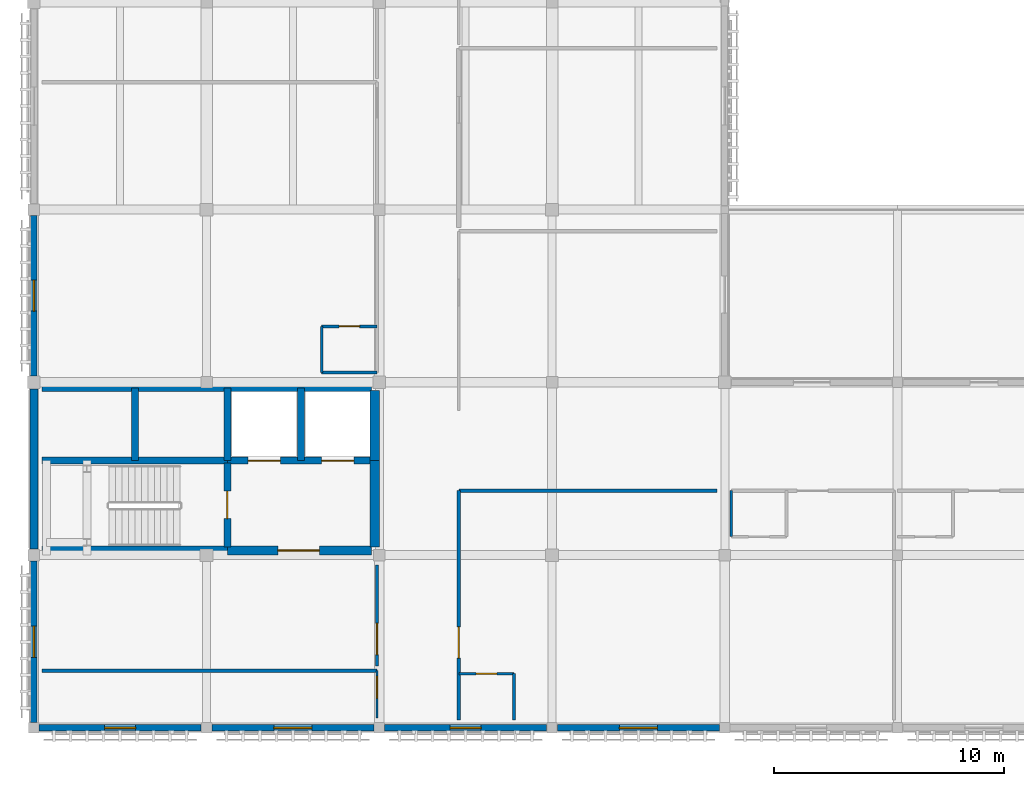
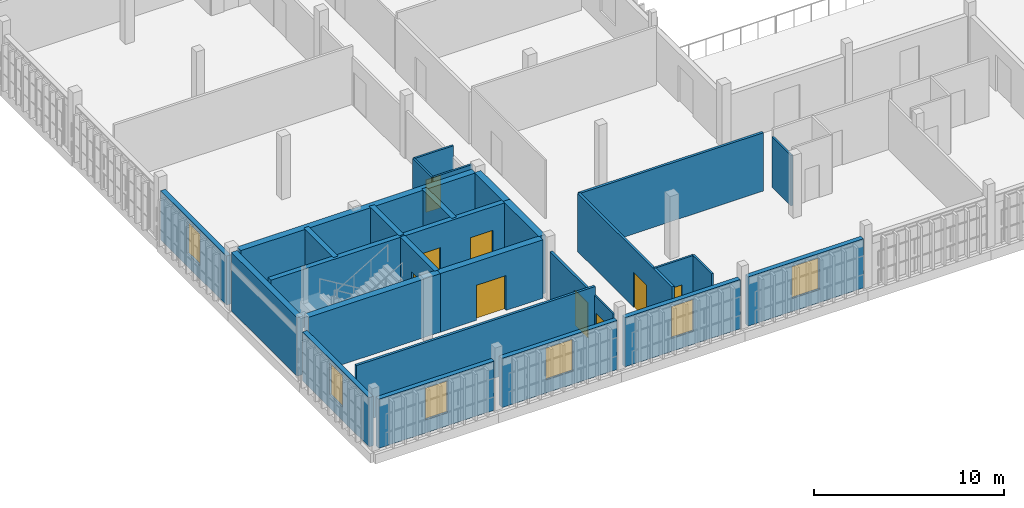
# One storey, part 4 of 17: 29 walls, 9 doors, 6 windows, 15 openings.
"""IFC4 building model written with IfcOpenShell, lengths in metres."""

from ifc_helpers import new_model, si_unit, direction, frame, frame_2d, origin, place, context, subcontext, project, spatial, rectangle, extrude, material, layer, layer_set, type_object, element, fill, save


model = new_model("IFC4")

# Units and contexts
model_context = context("Model", 3, precision=1e-05, world=origin(), true_north=direction((0.0, 1.0)))
body_context = subcontext(model_context, "Body", "Model", "MODEL_VIEW")
ifc_project = project(units=[si_unit("LENGTHUNIT", "METRE"), si_unit("AREAUNIT", "SQUARE_METRE"), si_unit("VOLUMEUNIT", "CUBIC_METRE"), si_unit("PLANEANGLEUNIT", "RADIAN"), si_unit("MASSUNIT", "GRAM", prefix="KILO")], contexts=[model_context])

# Site, building, storey
site_placement = place(None, origin())
site = spatial("IfcSite", under=ifc_project, at=site_placement, CompositionType="ELEMENT")
building_placement = place(site_placement, origin())
building = spatial("IfcBuilding", under=site, at=building_placement, Name="Dalvernix Boulevard General Hospital", CompositionType="ELEMENT")
storey_placement = place(building_placement, frame((0.0, 0.0, 25.949951171875)))
storey = spatial("IfcBuildingStorey", under=building, at=storey_placement, Name="L06", CompositionType="ELEMENT", Elevation=25.949951171875)

# Wall
ifc_material_1 = material(Name="Concrete C40/50", Category="concrete")
ifc_layer_1 = layer(ifc_material_1, 0.39990234375)
ifc_layer_set_1 = layer_set([ifc_layer_1], Name="Concrete C40/50 (WAL-CSW-01)")
wall_type_1 = type_object("IfcWallType", Name="WAL-CSW-01", PredefinedType="SHEAR", material=ifc_layer_set_1)
wall_1_placement = place(storey_placement, frame((0.35009765625, 7.699951171875, 0.0), z_axis=(0.0, 0.0, 1.0), x_axis=(1.0, 0.0, 0.0)))
element("IfcWall", 1, at=wall_1_placement, inside=storey, type_object=wall_type_1, Name="L06 C1 south stairwell wall", PredefinedType="SHEAR", context=body_context, shape_type="SweptSolid", body=[
    extrude(rectangle(XDim=8.0498046875, YDim=0.39990234375, at=frame_2d((4.02490234375, 0.0))), origin(), (0.0, 0.0, 1.0), 3.77001953125),
])

# Wall, opening, door
wall_2_placement = place(storey_placement, frame((8.39990234375, 7.699951171875, 0.0), z_axis=(0.0, 0.0, 1.0), x_axis=(1.0, 0.0, 0.0)))
wall_2 = element("IfcWall", 2, at=wall_2_placement, inside=storey, type_object=wall_type_1, Name="L06 C1 south firefighting lobby wall", PredefinedType="SHEAR", context=body_context, shape_type="SweptSolid", body=[
    extrude(rectangle(XDim=6.25, YDim=0.39990234375, at=frame_2d((3.125, 0.0))), origin(), (0.0, 0.0, 1.0), 3.77001953125),
])
opening_1_placement = place(wall_2_placement, frame((2.199951171875, 0.0, 0.0)))
opening_1 = element("IfcOpeningElement", 3, at=opening_1_placement, cuts=wall_2, Name="Opening FD-01", PredefinedType="OPENING", context=body_context, shape_type="SweptSolid", body=[
    extrude(rectangle(XDim=1.800048828125, YDim=2.25, at=frame_2d((0.89990234375, 1.125))), frame((0.0, 0.2099609375, 0.0), z_axis=(0.0, -1.0, 0.0), x_axis=(1.0, 0.0, 0.0)), (0.0, 0.0, 1.0), 0.419921875),
])
ifc_material_2 = material(Name="Hospital laminate acoustic timber and steel frame", Category="steel")
door_type_1 = type_object("IfcDoorType", Name="DR-FD-01", OperationType="DOUBLE_DOOR_SINGLE_SWING", PredefinedType="DOOR", material=ifc_material_2)
door_1_placement = place(opening_1_placement, origin())
door_1 = element("IfcDoor", 4, at=door_1_placement, inside=storey, type_object=door_type_1, Name="L06 C1 firefighting lobby door", OperationType="DOUBLE_DOOR_SINGLE_SWING", OverallHeight=2.25, OverallWidth=1.800048828125, PredefinedType="DOOR", context=body_context, shape_type="SweptSolid", body=[
    extrude(rectangle(XDim=1.800048828125, YDim=2.25, at=frame_2d((0.89990234375, 1.125))), frame((0.0, 0.02490234375, 0.0), z_axis=(0.0, -1.0, 0.0), x_axis=(1.0, 0.0, 0.0)), (0.0, 0.0, 1.0), 0.050048828125),
])
fill(opening_1, door_1)

# Walls
wall_3_placement = place(storey_placement, frame((0.35009765625, 14.800048828125, 0.0), z_axis=(0.0, 0.0, 1.0), x_axis=(1.0, 0.0, 0.0)))
element("IfcWall", 5, at=wall_3_placement, inside=storey, type_object=wall_type_1, Name="L06 C1 north shaft core wall", PredefinedType="SHEAR", context=body_context, shape_type="SweptSolid", body=[
    extrude(rectangle(XDim=14.2998046875, YDim=0.39990234375, at=frame_2d((7.14990234375, 0.0))), origin(), (0.0, 0.0, 1.0), 3.77001953125),
])
wall_4_placement = place(storey_placement, frame((14.800048828125, 7.85009765625, 0.0), z_axis=(0.0, 0.0, 1.0), x_axis=(0.0, 1.0, 0.0)))
element("IfcWall", 6, at=wall_4_placement, inside=storey, type_object=wall_type_1, Name="L06 C1 east lobby core wall", PredefinedType="SHEAR", context=body_context, shape_type="SweptSolid", body=[
    extrude(rectangle(XDim=3.75, YDim=0.39990234375, at=frame_2d((1.875, 0.0))), origin(), (0.0, 0.0, 1.0), 3.77001953125),
])
wall_5_placement = place(storey_placement, frame((14.800048828125, 11.60009765625, 0.0), z_axis=(0.0, 0.0, 1.0), x_axis=(0.0, 1.0, 0.0)))
element("IfcWall", 7, at=wall_5_placement, inside=storey, type_object=wall_type_1, Name="L06 C1 east shaft core wall", PredefinedType="SHEAR", context=body_context, shape_type="SweptSolid", body=[
    extrude(rectangle(XDim=3.0498046875, YDim=0.39990234375, at=frame_2d((1.52490234375, 0.0))), origin(), (0.0, 0.0, 1.0), 3.77001953125),
])
ifc_layer_2 = layer(ifc_material_1, 0.300048828125)
ifc_layer_set_2 = layer_set([ifc_layer_2], Name="Concrete C40/50 (WAL-CSW-02)")
wall_type_2 = type_object("IfcWallType", Name="WAL-CSW-02", PredefinedType="SHEAR", material=ifc_layer_set_2)
wall_6_placement = place(storey_placement, frame((0.35009765625, 11.60009765625, 0.0), z_axis=(0.0, 0.0, 1.0), x_axis=(1.0, 0.0, 0.0)))
element("IfcWall", 8, at=wall_6_placement, inside=storey, type_object=wall_type_2, Name="L06 C1 riser spine wall", PredefinedType="SHEAR", context=body_context, shape_type="SweptSolid", body=[
    extrude(rectangle(XDim=8.0498046875, YDim=0.300048828125, at=frame_2d((4.02490234375, 0.0))), origin(), (0.0, 0.0, 1.0), 3.77001953125),
])

# Wall, openings, doors
wall_7_placement = place(storey_placement, frame((8.39990234375, 11.60009765625, 0.0), z_axis=(0.0, 0.0, 1.0), x_axis=(1.0, 0.0, 0.0)))
wall_7 = element("IfcWall", 9, at=wall_7_placement, inside=storey, type_object=wall_type_2, Name="L06 C1 lift shaft front wall", PredefinedType="SHEAR", context=body_context, shape_type="SweptSolid", body=[
    extrude(rectangle(XDim=6.25, YDim=0.300048828125, at=frame_2d((3.125, 0.0))), origin(), (0.0, 0.0, 1.0), 3.77001953125),
])
opening_2_placement = place(wall_7_placement, frame((0.89990234375, 0.0, 0.0)))
opening_2 = element("IfcOpeningElement", 10, at=opening_2_placement, cuts=wall_7, Name="Opening LD-FFL-01-L06", PredefinedType="OPENING", context=body_context, shape_type="SweptSolid", body=[
    extrude(rectangle(XDim=1.39990234375, YDim=2.25, at=frame_2d((0.699951171875, 1.125))), frame((0.0, 0.159912109375, 0.0), z_axis=(0.0, -1.0, 0.0), x_axis=(1.0, 0.0, 0.0)), (0.0, 0.0, 1.0), 0.320068359375),
])
opening_3_placement = place(wall_7_placement, frame((4.10009765625, 0.0, 0.0)))
opening_3 = element("IfcOpeningElement", 11, at=opening_3_placement, cuts=wall_7, Name="Opening LD-FFL-02-L06", PredefinedType="OPENING", context=body_context, shape_type="SweptSolid", body=[
    extrude(rectangle(XDim=1.39990234375, YDim=2.25, at=frame_2d((0.699951171875, 1.125))), frame((0.0, 0.159912109375, 0.0), z_axis=(0.0, -1.0, 0.0), x_axis=(1.0, 0.0, 0.0)), (0.0, 0.0, 1.0), 0.320068359375),
])
ifc_material_3 = material(Name="Stainless-clad steel", Category="steel")
door_type_2 = type_object("IfcDoorType", Name="DR-LD-01", OperationType="DOUBLE_DOOR_SLIDING", PredefinedType="DOOR", material=ifc_material_3)
door_2_placement = place(opening_2_placement, origin())
door_2 = element("IfcDoor", 12, at=door_2_placement, inside=storey, type_object=door_type_2, Name="L06 Lift FFL-01 sliding landing door", OperationType="DOUBLE_DOOR_SLIDING", OverallHeight=2.25, OverallWidth=1.39990234375, PredefinedType="DOOR", context=body_context, shape_type="SweptSolid", body=[
    extrude(rectangle(XDim=1.39990234375, YDim=2.25, at=frame_2d((0.699951171875, 1.125))), frame((0.0, 0.02490234375, 0.0), z_axis=(0.0, -1.0, 0.0), x_axis=(1.0, 0.0, 0.0)), (0.0, 0.0, 1.0), 0.050048828125),
])
fill(opening_2, door_2)
door_3_placement = place(opening_3_placement, origin())
door_3 = element("IfcDoor", 13, at=door_3_placement, inside=storey, type_object=door_type_2, Name="L06 Lift FFL-02 sliding landing door", OperationType="DOUBLE_DOOR_SLIDING", OverallHeight=2.25, OverallWidth=1.39990234375, PredefinedType="DOOR", context=body_context, shape_type="SweptSolid", body=[
    extrude(rectangle(XDim=1.39990234375, YDim=2.25, at=frame_2d((0.699951171875, 1.125))), frame((0.0, 0.02490234375, 0.0), z_axis=(0.0, -1.0, 0.0), x_axis=(1.0, 0.0, 0.0)), (0.0, 0.0, 1.0), 0.050048828125),
])
fill(opening_3, door_3)

# Wall, opening, door
wall_8_placement = place(storey_placement, frame((8.39990234375, 11.5, 0.0), z_axis=(0.0, 0.0, 1.0), x_axis=(0.0, -1.0, 0.0)))
wall_8 = element("IfcWall", 14, at=wall_8_placement, inside=storey, type_object=wall_type_2, Name="L06 C1 stairwell fire wall", PredefinedType="SHEAR", context=body_context, shape_type="SweptSolid", body=[
    extrude(rectangle(XDim=3.64990234375, YDim=0.300048828125, at=frame_2d((1.824951171875, 0.0))), origin(), (0.0, 0.0, 1.0), 3.77001953125),
])
opening_4_placement = place(wall_8_placement, frame((1.219970703125, 0.0, 0.0)))
opening_4 = element("IfcOpeningElement", 15, at=opening_4_placement, cuts=wall_8, Name="Opening FD-02", PredefinedType="OPENING", context=body_context, shape_type="SweptSolid", body=[
    extrude(rectangle(XDim=1.199951171875, YDim=2.25, at=frame_2d((0.60009765625, 1.125))), frame((0.0, 0.159912109375, 0.0), z_axis=(0.0, -1.0, 0.0), x_axis=(1.0, 0.0, 0.0)), (0.0, 0.0, 1.0), 0.320068359375),
])
door_type_3 = type_object("IfcDoorType", Name="DR-FD-02", OperationType="NOTDEFINED", PredefinedType="DOOR", material=ifc_material_2)
door_4_placement = place(opening_4_placement, origin())
door_4 = element("IfcDoor", 16, at=door_4_placement, inside=storey, type_object=door_type_3, Name="L06 Stair ST-01 fire door", OperationType="SINGLE_SWING_RIGHT", OverallHeight=2.25, OverallWidth=1.199951171875, PredefinedType="DOOR", context=body_context, shape_type="SweptSolid", body=[
    extrude(rectangle(XDim=1.199951171875, YDim=2.25, at=frame_2d((0.60009765625, 1.125))), frame((0.0, 0.02490234375, 0.0), z_axis=(0.0, -1.0, 0.0), x_axis=(1.0, 0.0, 0.0)), (0.0, 0.0, 1.0), 0.050048828125),
])
fill(opening_4, door_4)

# Walls
for number, where, z_axis, x_axis, name in (
    (17, (4.39990234375, 11.60009765625, 0.0), (0.0, 0.0, 1.0), (0.0, 1.0, 0.0), "L06 C1 shaft divider R1"),
    (18, (8.39990234375, 11.60009765625, 0.0), (0.0, 0.0, 1.0), (0.0, 1.0, 0.0), "L06 C1 shaft divider R2"),
    (19, (11.60009765625, 11.60009765625, 0.0), (0.0, 0.0, 1.0), (0.0, 1.0, 0.0), "L06 C1 shaft divider L1"),
):
    element("IfcWall", number, at=place(storey_placement, frame(where, z_axis=z_axis, x_axis=x_axis)), inside=storey, type_object=wall_type_2, Name=name, PredefinedType="SHEAR", context=body_context, shape_type="SweptSolid", body=[
        extrude(rectangle(XDim=3.14990234375, YDim=0.300048828125, at=frame_2d((1.574951171875, 0.0))), origin(), (0.0, 0.0, 1.0), 3.77001953125),
    ])
ifc_layer_3 = layer(ifc_material_1, 0.35009765625)
ifc_layer_set_3 = layer_set([ifc_layer_3], Name="Concrete C40/50 (WAL-ESW-01)")
wall_type_3 = type_object("IfcWallType", Name="WAL-ESW-01", PredefinedType="SHEAR", material=ifc_layer_set_3)
wall_9_placement = place(storey_placement, frame((0.0, 7.760009765625, 0.0), z_axis=(0.0, 0.0, 1.0), x_axis=(0.0, 1.0, 0.0)))
element("IfcWall", 20, at=wall_9_placement, inside=storey, type_object=wall_type_3, Name="L06 core perimeter shear wall W 0-1", PredefinedType="SHEAR", context=body_context, shape_type="SweptSolid", body=[
    extrude(rectangle(XDim=6.955078125, YDim=0.35009765625, at=frame_2d((3.4775390625, 0.0))), origin(), (0.0, 0.0, 1.0), 3.77001953125),
])

# Wall, opening, window
ifc_material_4 = material(Name="Screened upper-ward insulated masonry cavity wall C35/45", Category="masonry")
ifc_layer_4 = layer(ifc_material_4, 0.280029296875)
ifc_layer_set_4 = layer_set([ifc_layer_4], Name="Screened upper-ward insulated masonry cavity wall C35/45 (WAL-EW-03)")
wall_type_4 = type_object("IfcWallType", Name="WAL-EW-03", PredefinedType="STANDARD", material=ifc_layer_set_4)
wall_10_placement = place(storey_placement, frame((7.264892578125, 0.0, 0.0), z_axis=(0.0, 0.0, 1.0), x_axis=(-1.0, 0.0, 0.0)))
wall_10 = element("IfcWall", 21, at=wall_10_placement, inside=storey, type_object=wall_type_4, Name="L06 Catalan brick external wall S 0-0", PredefinedType="STANDARD", context=body_context, shape_type="SweptSolid", body=[
    extrude(rectangle(XDim=7.02978515625, YDim=0.280029296875, at=frame_2d((3.514892578125, 0.0))), origin(), (0.0, 0.0, 1.0), 3.170166015625),
])
opening_5_placement = place(wall_10_placement, frame((2.840087890625, 0.0, 0.85009765625)))
opening_5 = element("IfcOpeningElement", 22, at=opening_5_placement, cuts=wall_10, Name="Opening WN-19", PredefinedType="OPENING", context=body_context, shape_type="SweptSolid", body=[
    extrude(rectangle(XDim=1.35009765625, YDim=2.0400390625, at=frame_2d((0.675048828125, 1.02001953125))), frame((0.0, 0.14990234375, 0.0), z_axis=(0.0, -1.0, 0.0), x_axis=(1.0, 0.0, 0.0)), (0.0, 0.0, 1.0), 0.300048828125),
])
ifc_material_5 = material(Name="Thermally broken aluminium frame with solar-control double glazing", Category="aluminium")
window_type_1 = type_object("IfcWindowType", Name="WIN-WN-19", PartitioningType="SINGLE_PANEL", PredefinedType="WINDOW", material=ifc_material_5)
window_1_placement = place(opening_5_placement, origin())
window_1 = element("IfcWindow", 23, at=window_1_placement, inside=storey, type_object=window_type_1, Name="L06 clinical window WN-19 S 0-0", OverallHeight=2.0400390625, OverallWidth=1.35009765625, PartitioningType="SINGLE_PANEL", PredefinedType="WINDOW", context=body_context, shape_type="SweptSolid", body=[
    extrude(rectangle(XDim=1.35009765625, YDim=2.0400390625, at=frame_2d((0.675048828125, 1.02001953125))), frame((0.0, 0.030029296875, 0.0), z_axis=(0.0, -1.0, 0.0), x_axis=(1.0, 0.0, 0.0)), (0.0, 0.0, 1.0), 0.06005859375),
])
fill(opening_5, window_1)

wall_11_placement = place(storey_placement, frame((0.0, 0.235107421875, 0.0), z_axis=(0.0, 0.0, 1.0), x_axis=(0.0, 1.0, 0.0)))
wall_11 = element("IfcWall", 24, at=wall_11_placement, inside=storey, type_object=wall_type_4, Name="L06 Catalan brick external wall W 0-0", PredefinedType="STANDARD", context=body_context, shape_type="SweptSolid", body=[
    extrude(rectangle(XDim=7.0048828125, YDim=0.280029296875, at=frame_2d((3.50244140625, 0.0))), origin(), (0.0, 0.0, 1.0), 3.170166015625),
])
opening_6_placement = place(wall_11_placement, frame((2.827392578125, 0.0, 0.85009765625)))
opening_6 = element("IfcOpeningElement", 25, at=opening_6_placement, cuts=wall_11, Name="Opening WN-19", PredefinedType="OPENING", context=body_context, shape_type="SweptSolid", body=[
    extrude(rectangle(XDim=1.35009765625, YDim=2.0400390625, at=frame_2d((0.675048828125, 1.02001953125))), frame((0.0, 0.14990234375, 0.0), z_axis=(0.0, -1.0, 0.0), x_axis=(1.0, 0.0, 0.0)), (0.0, 0.0, 1.0), 0.300048828125),
])
window_2_placement = place(opening_6_placement, origin())
window_2 = element("IfcWindow", 26, at=window_2_placement, inside=storey, type_object=window_type_1, Name="L06 clinical window WN-19 W 0-0", OverallHeight=2.0400390625, OverallWidth=1.35009765625, PartitioningType="SINGLE_PANEL", PredefinedType="WINDOW", context=body_context, shape_type="SweptSolid", body=[
    extrude(rectangle(XDim=1.35009765625, YDim=2.0400390625, at=frame_2d((0.675048828125, 1.02001953125))), frame((0.0, 0.030029296875, 0.0), z_axis=(0.0, -1.0, 0.0), x_axis=(1.0, 0.0, 0.0)), (0.0, 0.0, 1.0), 0.06005859375),
])
fill(opening_6, window_2)

wall_12_placement = place(storey_placement, frame((0.0, 15.284912109375, 0.0), z_axis=(0.0, 0.0, 1.0), x_axis=(0.0, 1.0, 0.0)))
wall_12 = element("IfcWall", 27, at=wall_12_placement, inside=storey, type_object=wall_type_4, Name="L06 Catalan brick external wall W 0-2", PredefinedType="STANDARD", context=body_context, shape_type="SweptSolid", body=[
    extrude(rectangle(XDim=6.955078125, YDim=0.280029296875, at=frame_2d((3.4775390625, 0.0))), origin(), (0.0, 0.0, 1.0), 3.170166015625),
])
opening_7_placement = place(wall_12_placement, frame((2.802490234375, 0.0, 0.85009765625)))
opening_7 = element("IfcOpeningElement", 28, at=opening_7_placement, cuts=wall_12, Name="Opening WN-19", PredefinedType="OPENING", context=body_context, shape_type="SweptSolid", body=[
    extrude(rectangle(XDim=1.35009765625, YDim=2.0400390625, at=frame_2d((0.675048828125, 1.02001953125))), frame((0.0, 0.14990234375, 0.0), z_axis=(0.0, -1.0, 0.0), x_axis=(1.0, 0.0, 0.0)), (0.0, 0.0, 1.0), 0.300048828125),
])
window_3_placement = place(opening_7_placement, origin())
window_3 = element("IfcWindow", 29, at=window_3_placement, inside=storey, type_object=window_type_1, Name="L06 clinical window WN-19 W 0-2", OverallHeight=2.0400390625, OverallWidth=1.35009765625, PartitioningType="SINGLE_PANEL", PredefinedType="WINDOW", context=body_context, shape_type="SweptSolid", body=[
    extrude(rectangle(XDim=1.35009765625, YDim=2.0400390625, at=frame_2d((0.675048828125, 1.02001953125))), frame((0.0, 0.030029296875, 0.0), z_axis=(0.0, -1.0, 0.0), x_axis=(1.0, 0.0, 0.0)), (0.0, 0.0, 1.0), 0.06005859375),
])
fill(opening_7, window_3)

wall_13_placement = place(storey_placement, frame((14.764892578125, 0.0, 0.0), z_axis=(0.0, 0.0, 1.0), x_axis=(-1.0, 0.0, 0.0)))
wall_13 = element("IfcWall", 30, at=wall_13_placement, inside=storey, type_object=wall_type_4, Name="L06 Catalan brick external wall S 1-0", PredefinedType="STANDARD", context=body_context, shape_type="SweptSolid", body=[
    extrude(rectangle(XDim=7.02978515625, YDim=0.280029296875, at=frame_2d((3.514892578125, 0.0))), origin(), (0.0, 0.0, 1.0), 3.170166015625),
])
opening_8_placement = place(wall_13_placement, frame((2.68994140625, 0.0, 0.85009765625)))
opening_8 = element("IfcOpeningElement", 31, at=opening_8_placement, cuts=wall_13, Name="Opening WN-20", PredefinedType="OPENING", context=body_context, shape_type="SweptSolid", body=[
    extrude(rectangle(XDim=1.64990234375, YDim=2.0400390625, at=frame_2d((0.824951171875, 1.02001953125))), frame((0.0, 0.14990234375, 0.0), z_axis=(0.0, -1.0, 0.0), x_axis=(1.0, 0.0, 0.0)), (0.0, 0.0, 1.0), 0.300048828125),
])
window_type_2 = type_object("IfcWindowType", Name="WIN-WN-20", PartitioningType="SINGLE_PANEL", PredefinedType="WINDOW", material=ifc_material_5)
window_4_placement = place(opening_8_placement, origin())
window_4 = element("IfcWindow", 32, at=window_4_placement, inside=storey, type_object=window_type_2, Name="L06 clinical window WN-20 S 1-0", OverallHeight=2.0400390625, OverallWidth=1.64990234375, PartitioningType="SINGLE_PANEL", PredefinedType="WINDOW", context=body_context, shape_type="SweptSolid", body=[
    extrude(rectangle(XDim=1.64990234375, YDim=2.0400390625, at=frame_2d((0.824951171875, 1.02001953125))), frame((0.0, 0.030029296875, 0.0), z_axis=(0.0, -1.0, 0.0), x_axis=(1.0, 0.0, 0.0)), (0.0, 0.0, 1.0), 0.06005859375),
])
fill(opening_8, window_4)

wall_14_placement = place(storey_placement, frame((22.264892578125, 0.0, 0.0), z_axis=(0.0, 0.0, 1.0), x_axis=(-1.0, 0.0, 0.0)))
wall_14 = element("IfcWall", 33, at=wall_14_placement, inside=storey, type_object=wall_type_4, Name="L06 Catalan brick external wall S 2-0", PredefinedType="STANDARD", context=body_context, shape_type="SweptSolid", body=[
    extrude(rectangle(XDim=7.02978515625, YDim=0.280029296875, at=frame_2d((3.514892578125, 0.0))), origin(), (0.0, 0.0, 1.0), 3.170166015625),
])
opening_9_placement = place(wall_14_placement, frame((2.840087890625, 0.0, 0.85009765625)))
opening_9 = element("IfcOpeningElement", 34, at=opening_9_placement, cuts=wall_14, Name="Opening WN-19", PredefinedType="OPENING", context=body_context, shape_type="SweptSolid", body=[
    extrude(rectangle(XDim=1.35009765625, YDim=2.0400390625, at=frame_2d((0.675048828125, 1.02001953125))), frame((0.0, 0.14990234375, 0.0), z_axis=(0.0, -1.0, 0.0), x_axis=(1.0, 0.0, 0.0)), (0.0, 0.0, 1.0), 0.300048828125),
])
window_5_placement = place(opening_9_placement, origin())
window_5 = element("IfcWindow", 35, at=window_5_placement, inside=storey, type_object=window_type_1, Name="L06 clinical window WN-19 S 2-0", OverallHeight=2.0400390625, OverallWidth=1.35009765625, PartitioningType="SINGLE_PANEL", PredefinedType="WINDOW", context=body_context, shape_type="SweptSolid", body=[
    extrude(rectangle(XDim=1.35009765625, YDim=2.0400390625, at=frame_2d((0.675048828125, 1.02001953125))), frame((0.0, 0.030029296875, 0.0), z_axis=(0.0, -1.0, 0.0), x_axis=(1.0, 0.0, 0.0)), (0.0, 0.0, 1.0), 0.06005859375),
])
fill(opening_9, window_5)

wall_15_placement = place(storey_placement, frame((29.764892578125, 0.0, 0.0), z_axis=(0.0, 0.0, 1.0), x_axis=(-1.0, 0.0, 0.0)))
wall_15 = element("IfcWall", 36, at=wall_15_placement, inside=storey, type_object=wall_type_4, Name="L06 Catalan brick external wall S 3-0", PredefinedType="STANDARD", context=body_context, shape_type="SweptSolid", body=[
    extrude(rectangle(XDim=7.02978515625, YDim=0.280029296875, at=frame_2d((3.514892578125, 0.0))), origin(), (0.0, 0.0, 1.0), 3.170166015625),
])
opening_10_placement = place(wall_15_placement, frame((2.68994140625, 0.0, 0.85009765625)))
opening_10 = element("IfcOpeningElement", 37, at=opening_10_placement, cuts=wall_15, Name="Opening WN-20", PredefinedType="OPENING", context=body_context, shape_type="SweptSolid", body=[
    extrude(rectangle(XDim=1.64990234375, YDim=2.0400390625, at=frame_2d((0.824951171875, 1.02001953125))), frame((0.0, 0.14990234375, 0.0), z_axis=(0.0, -1.0, 0.0), x_axis=(1.0, 0.0, 0.0)), (0.0, 0.0, 1.0), 0.300048828125),
])
window_6_placement = place(opening_10_placement, origin())
window_6 = element("IfcWindow", 38, at=window_6_placement, inside=storey, type_object=window_type_2, Name="L06 clinical window WN-20 S 3-0", OverallHeight=2.0400390625, OverallWidth=1.64990234375, PartitioningType="SINGLE_PANEL", PredefinedType="WINDOW", context=body_context, shape_type="SweptSolid", body=[
    extrude(rectangle(XDim=1.64990234375, YDim=2.0400390625, at=frame_2d((0.824951171875, 1.02001953125))), frame((0.0, 0.030029296875, 0.0), z_axis=(0.0, -1.0, 0.0), x_axis=(1.0, 0.0, 0.0)), (0.0, 0.0, 1.0), 0.06005859375),
])
fill(opening_10, window_6)

# Wall, opening, door
ifc_material_6 = material(Name="Acoustic double-stud gypsum inpatient partition")
ifc_layer_5 = layer(ifc_material_6, 0.14990234375)
ifc_layer_set_5 = layer_set([ifc_layer_5], Name="Acoustic double-stud gypsum inpatient partition (WAL-IW-04)")
wall_type_5 = type_object("IfcWallType", Name="WAL-IW-04", PredefinedType="PARTITIONING", material=ifc_layer_set_5)
wall_16_placement = place(storey_placement, frame((14.89990234375, 2.679931640625, 0.0), z_axis=(0.0, 0.0, 1.0), x_axis=(0.0, 1.0, 0.0)))
wall_16 = element("IfcWall", 39, at=wall_16_placement, inside=storey, type_object=wall_type_5, Name="L06 On-Call Duty Room L06 corridor wall", PredefinedType="PARTITIONING", context=body_context, shape_type="SweptSolid", body=[
    extrude(rectangle(XDim=4.39013671875, YDim=0.14990234375, at=frame_2d((2.195068359375, 0.0))), origin(), (0.0, 0.0, 1.0), 3.205078125),
])
opening_11_placement = place(wall_16_placement, frame((0.50390625, 0.0, 0.0)))
opening_11 = element("IfcOpeningElement", 40, at=opening_11_placement, cuts=wall_16, Name="Opening ID-01", PredefinedType="OPENING", context=body_context, shape_type="SweptSolid", body=[
    extrude(rectangle(XDim=1.35009765625, YDim=2.25, at=frame_2d((0.675048828125, 1.125))), frame((0.0, 0.0849609375, 0.0), z_axis=(0.0, -1.0, 0.0), x_axis=(1.0, 0.0, 0.0)), (0.0, 0.0, 1.0), 0.169921875),
])
door_type_4 = type_object("IfcDoorType", Name="DR-ID-01", OperationType="NOTDEFINED", PredefinedType="DOOR", material=ifc_material_2)
door_5_placement = place(opening_11_placement, origin())
door_5 = element("IfcDoor", 41, at=door_5_placement, inside=storey, type_object=door_type_4, Name="L06 On-Call Duty Room L06 door", OperationType="SINGLE_SWING_LEFT", OverallHeight=2.25, OverallWidth=1.35009765625, PredefinedType="DOOR", context=body_context, shape_type="SweptSolid", body=[
    extrude(rectangle(XDim=1.35009765625, YDim=2.25, at=frame_2d((0.675048828125, 1.125))), frame((0.0, 0.02490234375, 0.0), z_axis=(0.0, -1.0, 0.0), x_axis=(1.0, 0.0, 0.0)), (0.0, 0.0, 1.0), 0.050048828125),
])
fill(opening_11, door_5)

wall_17_placement = place(storey_placement, frame((18.449951171875, 10.300048828125, 0.0), z_axis=(0.0, 0.0, 1.0), x_axis=(0.0, -1.0, 0.0)))
wall_17 = element("IfcWall", 42, at=wall_17_placement, inside=storey, type_object=wall_type_5, Name="L06 Single Patient Room L06-ES0 corridor wall", PredefinedType="PARTITIONING", context=body_context, shape_type="SweptSolid", body=[
    extrude(rectangle(XDim=9.949951171875, YDim=0.14990234375, at=frame_2d((4.97509765625, 0.0))), origin(), (0.0, 0.0, 1.0), 3.755126953125),
])
opening_12_placement = place(wall_17_placement, frame((5.919921875, 0.0, 0.0)))
opening_12 = element("IfcOpeningElement", 43, at=opening_12_placement, cuts=wall_17, Name="Opening ID-01", PredefinedType="OPENING", context=body_context, shape_type="SweptSolid", body=[
    extrude(rectangle(XDim=1.35009765625, YDim=2.25, at=frame_2d((0.675048828125, 1.125))), frame((0.0, 0.0849609375, 0.0), z_axis=(0.0, -1.0, 0.0), x_axis=(1.0, 0.0, 0.0)), (0.0, 0.0, 1.0), 0.169921875),
])
door_6_placement = place(opening_12_placement, origin())
door_6 = element("IfcDoor", 44, at=door_6_placement, inside=storey, type_object=door_type_4, Name="L06 Single Patient Room L06-ES0 door", OperationType="SINGLE_SWING_RIGHT", OverallHeight=2.25, OverallWidth=1.35009765625, PredefinedType="DOOR", context=body_context, shape_type="SweptSolid", body=[
    extrude(rectangle(XDim=1.35009765625, YDim=2.25, at=frame_2d((0.675048828125, 1.125))), frame((0.0, 0.02490234375, 0.0), z_axis=(0.0, -1.0, 0.0), x_axis=(1.0, 0.0, 0.0)), (0.0, 0.0, 1.0), 0.050048828125),
])
fill(opening_12, door_6)

# Walls
wall_18_placement = place(storey_placement, frame((0.35009765625, 2.47998046875, 0.0), z_axis=(0.0, 0.0, 1.0), x_axis=(1.0, 0.0, 0.0)))
element("IfcWall", 45, at=wall_18_placement, inside=storey, type_object=wall_type_5, Name="L06 Accessible Public WC L06 West partition", PredefinedType="PARTITIONING", context=body_context, shape_type="SweptSolid", body=[
    extrude(rectangle(XDim=14.5498046875, YDim=0.14990234375, at=frame_2d((7.27490234375, 0.0))), origin(), (0.0, 0.0, 1.0), 3.755126953125),
])
wall_19_placement = place(storey_placement, frame((18.449951171875, 10.300048828125, 0.0), z_axis=(0.0, 0.0, 1.0), x_axis=(1.0, 0.0, 0.0)))
element("IfcWall", 46, at=wall_19_placement, inside=storey, type_object=wall_type_5, Name="L06 Single Patient Room L06-ES0 partition", PredefinedType="PARTITIONING", context=body_context, shape_type="SweptSolid", body=[
    extrude(rectangle(XDim=11.199951171875, YDim=0.14990234375, at=frame_2d((5.60009765625, 0.0))), origin(), (0.0, 0.0, 1.0), 3.755126953125),
])

# Wall, opening, door
ifc_material_7 = material(Name="Moisture-resistant en-suite bathroom partition")
ifc_layer_6 = layer(ifc_material_7, 0.1201171875)
ifc_layer_set_6 = layer_set([ifc_layer_6], Name="Moisture-resistant en-suite bathroom partition (WAL-IW-05)")
wall_type_6 = type_object("IfcWallType", Name="WAL-IW-05", PredefinedType="PARTITIONING", material=ifc_layer_set_6)
wall_20_placement = place(storey_placement, frame((14.89990234375, 17.429931640625, 0.0), z_axis=(0.0, 0.0, 1.0), x_axis=(-1.0, 0.0, 0.0)))
wall_20 = element("IfcWall", 47, at=wall_20_placement, inside=storey, type_object=wall_type_6, Name="L06 en-suite bathroom door wall", PredefinedType="PARTITIONING", context=body_context, shape_type="SweptSolid", body=[
    extrude(rectangle(XDim=2.39990234375, YDim=0.1201171875, at=frame_2d((1.199951171875, 0.0))), origin(), (0.0, 0.0, 1.0), 3.755126953125),
])
opening_13_placement = place(wall_20_placement, frame((0.75, 0.0, 0.0)))
opening_13 = element("IfcOpeningElement", 48, at=opening_13_placement, cuts=wall_20, Name="Opening ID-05", PredefinedType="OPENING", context=body_context, shape_type="SweptSolid", body=[
    extrude(rectangle(XDim=0.89990234375, YDim=2.10009765625, at=frame_2d((0.449951171875, 1.050048828125))), frame((0.0, 0.070068359375, 0.0), z_axis=(0.0, -1.0, 0.0), x_axis=(1.0, 0.0, 0.0)), (0.0, 0.0, 1.0), 0.14013671875),
])
door_type_5 = type_object("IfcDoorType", Name="DR-ID-05", OperationType="NOTDEFINED", PredefinedType="DOOR", material=ifc_material_2)
door_7_placement = place(opening_13_placement, origin())
door_7 = element("IfcDoor", 49, at=door_7_placement, inside=storey, type_object=door_type_5, Name="L06 L06-WRD-W02 en-suite bathroom door", OperationType="SINGLE_SWING_LEFT", OverallHeight=2.10009765625, OverallWidth=0.89990234375, PredefinedType="DOOR", context=body_context, shape_type="SweptSolid", body=[
    extrude(rectangle(XDim=0.89990234375, YDim=2.10009765625, at=frame_2d((0.449951171875, 1.050048828125))), frame((0.0, 0.02490234375, 0.0), z_axis=(0.0, -1.0, 0.0), x_axis=(1.0, 0.0, 0.0)), (0.0, 0.0, 1.0), 0.050048828125),
])
fill(opening_13, door_7)

# Wall
wall_21_placement = place(storey_placement, frame((12.5, 15.429931640625, 0.0), z_axis=(0.0, 0.0, 1.0), x_axis=(0.0, 1.0, 0.0)))
element("IfcWall", 50, at=wall_21_placement, inside=storey, type_object=wall_type_6, Name="L06 en-suite bathroom side wall", PredefinedType="PARTITIONING", context=body_context, shape_type="SweptSolid", body=[
    extrude(rectangle(XDim=2.0, YDim=0.1201171875, at=frame_2d((1.0, 0.0))), origin(), (0.0, 0.0, 1.0), 3.755126953125),
])

# Wall, opening, door
wall_22_placement = place(storey_placement, frame((20.85009765625, 2.35009765625, 0.0), z_axis=(0.0, 0.0, 1.0), x_axis=(-1.0, 0.0, 0.0)))
wall_22 = element("IfcWall", 51, at=wall_22_placement, inside=storey, type_object=wall_type_6, Name="L06 en-suite bathroom door wall", PredefinedType="PARTITIONING", context=body_context, shape_type="SweptSolid", body=[
    extrude(rectangle(XDim=2.400146484375, YDim=0.1201171875, at=frame_2d((1.2001953125, 0.0))), origin(), (0.0, 0.0, 1.0), 3.755126953125),
])
opening_14_placement = place(wall_22_placement, frame((0.75, 0.0, 0.0)))
opening_14 = element("IfcOpeningElement", 52, at=opening_14_placement, cuts=wall_22, Name="Opening ID-05", PredefinedType="OPENING", context=body_context, shape_type="SweptSolid", body=[
    extrude(rectangle(XDim=0.89990234375, YDim=2.10009765625, at=frame_2d((0.449951171875, 1.050048828125))), frame((0.0, 0.070068359375, 0.0), z_axis=(0.0, -1.0, 0.0), x_axis=(1.0, 0.0, 0.0)), (0.0, 0.0, 1.0), 0.14013671875),
])
door_8_placement = place(opening_14_placement, origin())
door_8 = element("IfcDoor", 53, at=door_8_placement, inside=storey, type_object=door_type_5, Name="L06 L06-RM-ES0 en-suite bathroom door", OperationType="SINGLE_SWING_LEFT", OverallHeight=2.10009765625, OverallWidth=0.89990234375, PredefinedType="DOOR", context=body_context, shape_type="SweptSolid", body=[
    extrude(rectangle(XDim=0.89990234375, YDim=2.10009765625, at=frame_2d((0.449951171875, 1.050048828125))), frame((0.0, 0.02490234375, 0.0), z_axis=(0.0, -1.0, 0.0), x_axis=(1.0, 0.0, 0.0)), (0.0, 0.0, 1.0), 0.050048828125),
])
fill(opening_14, door_8)

# Walls
wall_23_placement = place(storey_placement, frame((20.85009765625, 0.35009765625, 0.0), z_axis=(0.0, 0.0, 1.0), x_axis=(0.0, 1.0, 0.0)))
element("IfcWall", 54, at=wall_23_placement, inside=storey, type_object=wall_type_6, Name="L06 en-suite bathroom side wall", PredefinedType="PARTITIONING", context=body_context, shape_type="SweptSolid", body=[
    extrude(rectangle(XDim=2.0, YDim=0.1201171875, at=frame_2d((1.0, 0.0))), origin(), (0.0, 0.0, 1.0), 3.755126953125),
])
wall_24_placement = place(storey_placement, frame((12.5, 15.429931640625, 0.0), z_axis=(0.0, 0.0, 1.0), x_axis=(1.0, 0.0, 0.0)))
element("IfcWall", 55, at=wall_24_placement, inside=storey, type_object=wall_type_6, Name="L06 En-suite Bathroom WRD-W02 enclosure wall S", PredefinedType="PARTITIONING", context=body_context, shape_type="SweptSolid", body=[
    extrude(rectangle(XDim=2.39990234375, YDim=0.1201171875, at=frame_2d((1.199951171875, 0.0))), origin(), (0.0, 0.0, 1.0), 3.755126953125),
])
wall_25_placement = place(storey_placement, frame((30.280029296875, 8.300048828125, 0.0), z_axis=(0.0, 0.0, 1.0), x_axis=(0.0, 1.0, 0.0)))
element("IfcWall", 56, at=wall_25_placement, inside=storey, type_object=wall_type_6, Name="L06 En-suite Bathroom SW-S1 enclosure wall W", PredefinedType="PARTITIONING", context=body_context, shape_type="SweptSolid", body=[
    extrude(rectangle(XDim=2.0, YDim=0.1201171875, at=frame_2d((1.0, 0.0))), origin(), (0.0, 0.0, 1.0), 3.255126953125),
])

# Wall, opening, door
ifc_material_8 = material(Name="Fire-resisting clinical sub-partition")
ifc_layer_7 = layer(ifc_material_8, 0.10009765625)
ifc_layer_set_7 = layer_set([ifc_layer_7], Name="Fire-resisting clinical sub-partition (WAL-IW-06)")
wall_type_7 = type_object("IfcWallType", Name="WAL-IW-06", PredefinedType="PARTITIONING", material=ifc_layer_set_7)
wall_26_placement = place(storey_placement, frame((14.89990234375, 0.429931640625, 0.0), z_axis=(0.0, 0.0, 1.0), x_axis=(0.0, 1.0, 0.0)))
wall_26 = element("IfcWall", 57, at=wall_26_placement, inside=storey, type_object=wall_type_7, Name="L06 Accessible Public WC L06 West corridor wall", PredefinedType="PARTITIONING", context=body_context, shape_type="SweptSolid", body=[
    extrude(rectangle(XDim=2.050048828125, YDim=0.10009765625, at=frame_2d((1.02490234375, 0.0))), origin(), (0.0, 0.0, 1.0), 3.205078125),
])
opening_15_placement = place(wall_26_placement, frame((0.85009765625, 0.0, 0.0)))
opening_15 = element("IfcOpeningElement", 58, at=opening_15_placement, cuts=wall_26, Name="Opening ID-06", PredefinedType="OPENING", context=body_context, shape_type="SweptSolid", body=[
    extrude(rectangle(XDim=0.949951171875, YDim=2.14990234375, at=frame_2d((0.47509765625, 1.074951171875))), frame((0.0, 0.06005859375, 0.0), z_axis=(0.0, -1.0, 0.0), x_axis=(1.0, 0.0, 0.0)), (0.0, 0.0, 1.0), 0.1201171875),
])
door_type_6 = type_object("IfcDoorType", Name="DR-ID-06", OperationType="NOTDEFINED", PredefinedType="DOOR", material=ifc_material_2)
door_9_placement = place(opening_15_placement, origin())
door_9 = element("IfcDoor", 59, at=door_9_placement, inside=storey, type_object=door_type_6, Name="L06 Accessible Public WC L06 West door", OperationType="SINGLE_SWING_RIGHT", OverallHeight=2.14990234375, OverallWidth=0.949951171875, PredefinedType="DOOR", context=body_context, shape_type="SweptSolid", body=[
    extrude(rectangle(XDim=0.949951171875, YDim=2.14990234375, at=frame_2d((0.47509765625, 1.074951171875))), frame((0.0, 0.02490234375, 0.0), z_axis=(0.0, -1.0, 0.0), x_axis=(1.0, 0.0, 0.0)), (0.0, 0.0, 1.0), 0.050048828125),
])
fill(opening_15, door_9)

save(model, "model.ifc")
